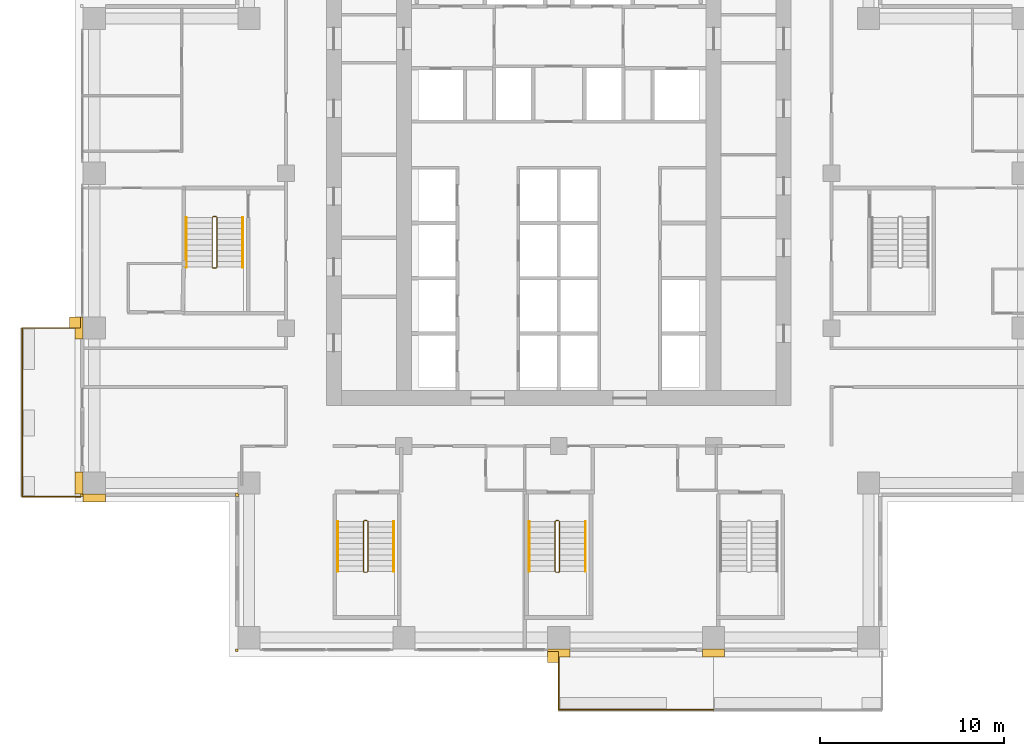
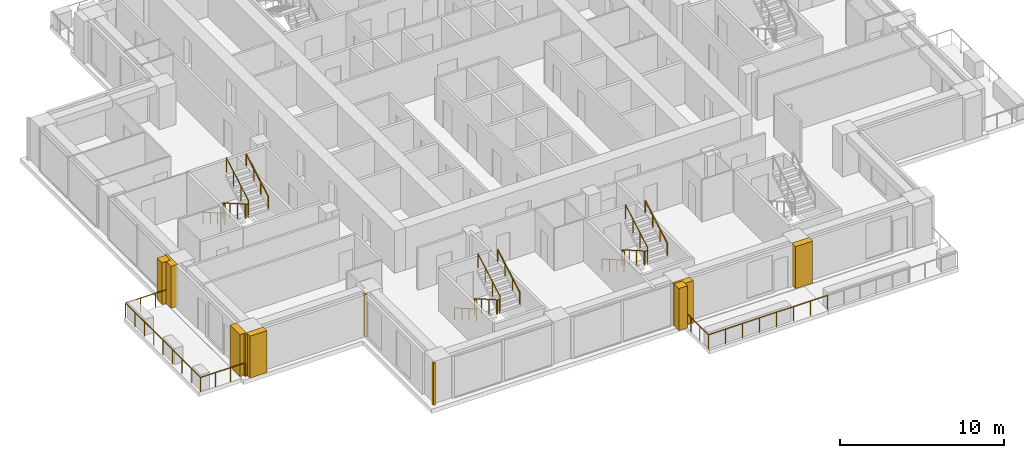
# One storey, part 15 of 18: 11 railings, 10 coverings.
"""IFC4 building model written with IfcOpenShell, lengths in metres."""

from ifc_helpers import new_model, si_unit, direction, frame, origin, origin_2d, place, context, subcontext, project, spatial, polyline, rectangle, outline, extrude, material, type_object, element, save


model = new_model("IFC4")

# Units and contexts
model_context = context("Model", 3, precision=1e-05, world=origin(), true_north=direction((0.0, 1.0)))
body_context = subcontext(model_context, "Body", "Model", "MODEL_VIEW")
ifc_project = project(units=[si_unit("LENGTHUNIT", "METRE"), si_unit("AREAUNIT", "SQUARE_METRE"), si_unit("VOLUMEUNIT", "CUBIC_METRE"), si_unit("PLANEANGLEUNIT", "RADIAN"), si_unit("MASSUNIT", "GRAM", prefix="KILO")], contexts=[model_context])

# Site, building, storey
site_placement = place(None, origin())
site = spatial("IfcSite", under=ifc_project, at=site_placement, CompositionType="ELEMENT")
building_placement = place(site_placement, origin())
building = spatial("IfcBuilding", under=site, at=building_placement, Name="Vermilion Ogive Tower", CompositionType="ELEMENT")
storey_placement = place(building_placement, frame((0.0, 0.0, 94.199951171875)))
storey = spatial("IfcBuildingStorey", under=building, at=storey_placement, Name="L23", CompositionType="ELEMENT", Elevation=94.199951171875)

# Railings
ifc_material_1 = material(Name="Stainless steel and glass", Category="steel")
railing_type_1 = type_object("IfcRailingType", Name="Balcony guard", PredefinedType="GUARDRAIL", material=ifc_material_1)
railing_1_placement = place(storey_placement, frame((0.0, -21.75, -0.0400390625)))
element("IfcRailing", 1, at=railing_1_placement, inside=storey, type_object=railing_type_1, Name="Guard S03", PredefinedType="GUARDRAIL", context=body_context, shape_type="SweptSolid", body=[
    extrude(rectangle(XDim=0.048095703125, YDim=0.048095703125, at=origin_2d()), frame((0.0, 0.0, 1.076171875), z_axis=(0.0, -1.0, 0.0), x_axis=(1.0, 0.0, 0.0)), (0.0, 0.0, 1.0), 3.159912109375),
    extrude(rectangle(XDim=0.048095703125, YDim=0.048095703125, at=origin_2d()), frame((0.0, -3.159912109375, 1.076171875), z_axis=(1.0, 0.0, 0.0), x_axis=(0.0, 1.0, 0.0)), (0.0, 0.0, 1.0), 8.39990234375),
    extrude(rectangle(XDim=0.0419921875, YDim=0.0419921875, at=origin_2d()), origin(), (0.0, 0.0, 1.0), 1.052001953125),
    extrude(rectangle(XDim=0.0419921875, YDim=0.0419921875, at=origin_2d()), frame((0.0, -1.05322265625, 0.0)), (0.0, 0.0, 1.0), 1.052001953125),
    extrude(rectangle(XDim=0.0419921875, YDim=0.0419921875, at=origin_2d()), frame((0.0, -2.106689453125, 0.0)), (0.0, 0.0, 1.0), 1.052001953125),
    extrude(rectangle(XDim=0.0419921875, YDim=0.0419921875, at=origin_2d()), frame((0.0, -3.159912109375, 0.0)), (0.0, 0.0, 1.0), 1.052001953125),
    extrude(rectangle(XDim=0.0419921875, YDim=0.0419921875, at=origin_2d()), frame((1.199951171875, -3.159912109375, 0.0)), (0.0, 0.0, 1.0), 1.052001953125),
    extrude(rectangle(XDim=0.0419921875, YDim=0.0419921875, at=origin_2d()), frame((2.39990234375, -3.159912109375, 0.0)), (0.0, 0.0, 1.0), 1.052001953125),
    extrude(rectangle(XDim=0.0419921875, YDim=0.0419921875, at=origin_2d()), frame((3.599853515625, -3.159912109375, 0.0)), (0.0, 0.0, 1.0), 1.052001953125),
    extrude(rectangle(XDim=0.0419921875, YDim=0.0419921875, at=origin_2d()), frame((4.800048828125, -3.159912109375, 0.0)), (0.0, 0.0, 1.0), 1.052001953125),
    extrude(rectangle(XDim=0.0419921875, YDim=0.0419921875, at=origin_2d()), frame((6.0, -3.159912109375, 0.0)), (0.0, 0.0, 1.0), 1.052001953125),
    extrude(rectangle(XDim=0.0419921875, YDim=0.0419921875, at=origin_2d()), frame((7.199951171875, -3.159912109375, 0.0)), (0.0, 0.0, 1.0), 1.052001953125),
    extrude(rectangle(XDim=0.0419921875, YDim=0.0419921875, at=origin_2d()), frame((8.39990234375, -3.159912109375, 0.0)), (0.0, 0.0, 1.0), 1.052001953125),
])
railing_2_placement = place(storey_placement, frame((-25.949951171875, -4.199951171875, -0.0400390625)))
element("IfcRailing", 2, at=railing_2_placement, inside=storey, type_object=railing_type_1, Name="Guard W03", PredefinedType="GUARDRAIL", context=body_context, shape_type="SweptSolid", body=[
    extrude(rectangle(XDim=0.048095703125, YDim=0.048095703125, at=origin_2d()), frame((0.0, 0.0, 1.076171875), z_axis=(-1.0, 0.0, 0.0), x_axis=(0.0, -1.0, 0.0)), (0.0, 0.0, 1.0), 3.16015625),
    extrude(rectangle(XDim=0.048095703125, YDim=0.048095703125, at=origin_2d()), frame((-3.16015625, 0.0, 1.076171875), z_axis=(0.0, -1.0, 0.0), x_axis=(1.0, 0.0, 0.0)), (0.0, 0.0, 1.0), 9.150146484375),
    extrude(rectangle(XDim=0.048095703125, YDim=0.048095703125, at=origin_2d()), frame((-3.16015625, -9.150146484375, 1.076171875), z_axis=(1.0, 0.0, 0.0), x_axis=(0.0, 1.0, 0.0)), (0.0, 0.0, 1.0), 3.16015625),
    extrude(rectangle(XDim=0.0419921875, YDim=0.0419921875, at=origin_2d()), origin(), (0.0, 0.0, 1.0), 1.052001953125),
    extrude(rectangle(XDim=0.0419921875, YDim=0.0419921875, at=origin_2d()), frame((-1.053466796875, 0.0, 0.0)), (0.0, 0.0, 1.0), 1.052001953125),
    extrude(rectangle(XDim=0.0419921875, YDim=0.0419921875, at=origin_2d()), frame((-2.106689453125, 0.0, 0.0)), (0.0, 0.0, 1.0), 1.052001953125),
    extrude(rectangle(XDim=0.0419921875, YDim=0.0419921875, at=origin_2d()), frame((-3.16015625, 0.0, 0.0)), (0.0, 0.0, 1.0), 1.052001953125),
    extrude(rectangle(XDim=0.0419921875, YDim=0.0419921875, at=origin_2d()), frame((-3.16015625, -1.143798828125, 0.0)), (0.0, 0.0, 1.0), 1.052001953125),
    extrude(rectangle(XDim=0.0419921875, YDim=0.0419921875, at=origin_2d()), frame((-3.16015625, -2.28759765625, 0.0)), (0.0, 0.0, 1.0), 1.052001953125),
    extrude(rectangle(XDim=0.0419921875, YDim=0.0419921875, at=origin_2d()), frame((-3.16015625, -3.431396484375, 0.0)), (0.0, 0.0, 1.0), 1.052001953125),
    extrude(rectangle(XDim=0.0419921875, YDim=0.0419921875, at=origin_2d()), frame((-3.16015625, -4.5751953125, 0.0)), (0.0, 0.0, 1.0), 1.052001953125),
    extrude(rectangle(XDim=0.0419921875, YDim=0.0419921875, at=origin_2d()), frame((-3.16015625, -5.71875, 0.0)), (0.0, 0.0, 1.0), 1.052001953125),
    extrude(rectangle(XDim=0.0419921875, YDim=0.0419921875, at=origin_2d()), frame((-3.16015625, -6.862548828125, 0.0)), (0.0, 0.0, 1.0), 1.052001953125),
    extrude(rectangle(XDim=0.0419921875, YDim=0.0419921875, at=origin_2d()), frame((-3.16015625, -8.00634765625, 0.0)), (0.0, 0.0, 1.0), 1.052001953125),
    extrude(rectangle(XDim=0.0419921875, YDim=0.0419921875, at=origin_2d()), frame((-3.16015625, -9.150146484375, 0.0)), (0.0, 0.0, 1.0), 1.052001953125),
    extrude(rectangle(XDim=0.0419921875, YDim=0.0419921875, at=origin_2d()), frame((-2.106689453125, -9.150146484375, 0.0)), (0.0, 0.0, 1.0), 1.052001953125),
    extrude(rectangle(XDim=0.0419921875, YDim=0.0419921875, at=origin_2d()), frame((-1.053466796875, -9.150146484375, 0.0)), (0.0, 0.0, 1.0), 1.052001953125),
    extrude(rectangle(XDim=0.0419921875, YDim=0.0419921875, at=origin_2d()), frame((0.0, -9.150146484375, 0.0)), (0.0, 0.0, 1.0), 1.052001953125),
])
ifc_material_2 = material(Name="Steel S355 painted", Category="steel")
railing_type_2 = type_object("IfcRailingType", Name="Stair guard 1100", PredefinedType="GUARDRAIL", material=ifc_material_2)
railing_3_placement = place(storey_placement, frame((-10.39990234375, -14.64990234375, 0.0)))
element("IfcRailing", 3, at=railing_3_placement, inside=storey, type_object=railing_type_2, Name="L23 ST3 stair guard 4", PredefinedType="GUARDRAIL", context=body_context, shape_type="SweptSolid", body=[
    extrude(rectangle(XDim=0.048095703125, YDim=0.048095703125, at=origin_2d()), frame((0.0, 0.0, 1.076171875), z_axis=(-1.0, 0.0, 0.0), x_axis=(0.0, -1.0, 0.0)), (0.0, 0.0, 1.0), 0.150146484375),
    extrude(rectangle(XDim=0.048095703125, YDim=0.048095703125, at=origin_2d()), frame((-0.150146484375, 0.0, 1.076171875), z_axis=(-0.268277960024, -0.268277960024, 0.925231793839), x_axis=(0.707106781187, -0.707106781187, 0.0)), (0.0, 0.0, 1.0), 0.1865234375),
    extrude(rectangle(XDim=0.048095703125, YDim=0.048095703125, at=origin_2d()), frame((-0.2001953125, -0.050048828125, 1.24853515625), z_axis=(0.0, -0.866903762492, 0.498475542607), x_axis=(1.0, 0.0, 0.0)), (0.0, 0.0, 1.0), 3.114501953125),
    extrude(rectangle(XDim=0.048095703125, YDim=0.048095703125, at=origin_2d()), frame((-0.2001953125, -2.75, 2.80126953125), z_axis=(0.707106781187, -0.707106781187, 0.0), x_axis=(0.707106781187, 0.707106781187, 0.0)), (0.0, 0.0, 1.0), 0.07080078125),
    extrude(rectangle(XDim=0.048095703125, YDim=0.048095703125, at=origin_2d()), frame((-0.150146484375, -2.800048828125, 2.80126953125), z_axis=(1.0, 0.0, 0.0), x_axis=(0.0, 1.0, 0.0)), (0.0, 0.0, 1.0), 0.150146484375),
    extrude(rectangle(XDim=0.048095703125, YDim=0.048095703125, at=origin_2d()), frame((0.0, -2.800048828125, 2.80126953125), z_axis=(0.267386790225, 0.268697509785, 0.925368009307), x_axis=(-0.708833529934, 0.705375805398, 0.0)), (0.0, 0.0, 1.0), 0.186279296875),
    extrude(rectangle(XDim=0.048095703125, YDim=0.048095703125, at=origin_2d()), frame((0.0498046875, -2.75, 2.9736328125), z_axis=(0.0, 0.866903762492, 0.498475542607), x_axis=(-1.0, 0.0, 0.0)), (0.0, 0.0, 1.0), 3.114501953125),
    extrude(rectangle(XDim=0.0419921875, YDim=0.0419921875, at=origin_2d()), origin(), (0.0, 0.0, 1.0), 1.052001953125),
    extrude(rectangle(XDim=0.0419921875, YDim=0.0419921875, at=origin_2d()), frame((-0.150146484375, 0.0, 0.0)), (0.0, 0.0, 1.0), 1.052001953125),
    extrude(rectangle(XDim=0.0419921875, YDim=0.0419921875, at=origin_2d()), frame((-0.2001953125, -0.050048828125, 0.172607421875)), (0.0, 0.0, 1.0), 1.052001953125),
    extrude(rectangle(XDim=0.0419921875, YDim=0.0419921875, at=origin_2d()), frame((-0.2001953125, -0.949951171875, 0.690185546875)), (0.0, 0.0, 1.0), 1.052001953125),
    extrude(rectangle(XDim=0.0419921875, YDim=0.0419921875, at=origin_2d()), frame((-0.2001953125, -1.85009765625, 1.20751953125)), (0.0, 0.0, 1.0), 1.052001953125),
    extrude(rectangle(XDim=0.0419921875, YDim=0.0419921875, at=origin_2d()), frame((-0.2001953125, -2.75, 1.72509765625)), (0.0, 0.0, 1.0), 1.052001953125),
    extrude(rectangle(XDim=0.0419921875, YDim=0.0419921875, at=origin_2d()), frame((-0.150146484375, -2.800048828125, 1.72509765625)), (0.0, 0.0, 1.0), 1.052001953125),
    extrude(rectangle(XDim=0.0419921875, YDim=0.0419921875, at=origin_2d()), frame((0.0, -2.800048828125, 1.72509765625)), (0.0, 0.0, 1.0), 1.052001953125),
    extrude(rectangle(XDim=0.0419921875, YDim=0.0419921875, at=origin_2d()), frame((0.0498046875, -2.75, 1.8974609375)), (0.0, 0.0, 1.0), 1.052001953125),
    extrude(rectangle(XDim=0.0419921875, YDim=0.0419921875, at=origin_2d()), frame((0.0498046875, -1.85009765625, 2.4150390625)), (0.0, 0.0, 1.0), 1.052001953125),
    extrude(rectangle(XDim=0.0419921875, YDim=0.0419921875, at=origin_2d()), frame((0.0498046875, -0.949951171875, 2.932373046875)), (0.0, 0.0, 1.0), 1.052001953125),
    extrude(rectangle(XDim=0.0419921875, YDim=0.0419921875, at=origin_2d()), frame((0.0498046875, -0.050048828125, 3.449951171875)), (0.0, 0.0, 1.0), 1.052001953125),
])
railing_4_placement = place(storey_placement, frame((0.0, -14.64990234375, 0.0)))
element("IfcRailing", 4, at=railing_4_placement, inside=storey, type_object=railing_type_2, Name="L23 ST4 stair guard 4", PredefinedType="GUARDRAIL", context=body_context, shape_type="SweptSolid", body=[
    extrude(rectangle(XDim=0.048095703125, YDim=0.048095703125, at=origin_2d()), frame((0.0, 0.0, 1.076171875), z_axis=(-1.0, 0.0, 0.0), x_axis=(0.0, -1.0, 0.0)), (0.0, 0.0, 1.0), 0.14990234375),
    extrude(rectangle(XDim=0.048095703125, YDim=0.048095703125, at=origin_2d()), frame((-0.14990234375, 0.0, 1.076171875), z_axis=(-0.268277960024, -0.268277960024, 0.925231793839), x_axis=(0.707106781187, -0.707106781187, 0.0)), (0.0, 0.0, 1.0), 0.1865234375),
    extrude(rectangle(XDim=0.048095703125, YDim=0.048095703125, at=origin_2d()), frame((-0.199951171875, -0.050048828125, 1.24853515625), z_axis=(0.0, -0.866903762492, 0.498475542607), x_axis=(1.0, 0.0, 0.0)), (0.0, 0.0, 1.0), 3.114501953125),
    extrude(rectangle(XDim=0.048095703125, YDim=0.048095703125, at=origin_2d()), frame((-0.199951171875, -2.75, 2.80126953125), z_axis=(0.707106781187, -0.707106781187, 0.0), x_axis=(0.707106781187, 0.707106781187, 0.0)), (0.0, 0.0, 1.0), 0.07080078125),
    extrude(rectangle(XDim=0.048095703125, YDim=0.048095703125, at=origin_2d()), frame((-0.14990234375, -2.800048828125, 2.80126953125), z_axis=(1.0, 0.0, 0.0), x_axis=(0.0, 1.0, 0.0)), (0.0, 0.0, 1.0), 0.14990234375),
    extrude(rectangle(XDim=0.048095703125, YDim=0.048095703125, at=origin_2d()), frame((0.0, -2.800048828125, 2.80126953125), z_axis=(0.268603158521, 0.268603158521, 0.925043072762), x_axis=(-0.707106781187, 0.707106781187, 0.0)), (0.0, 0.0, 1.0), 0.186279296875),
    extrude(rectangle(XDim=0.048095703125, YDim=0.048095703125, at=origin_2d()), frame((0.050048828125, -2.75, 2.9736328125), z_axis=(0.0, 0.866903762492, 0.498475542607), x_axis=(-1.0, 0.0, 0.0)), (0.0, 0.0, 1.0), 3.114501953125),
    extrude(rectangle(XDim=0.0419921875, YDim=0.0419921875, at=origin_2d()), origin(), (0.0, 0.0, 1.0), 1.052001953125),
    extrude(rectangle(XDim=0.0419921875, YDim=0.0419921875, at=origin_2d()), frame((-0.14990234375, 0.0, 0.0)), (0.0, 0.0, 1.0), 1.052001953125),
    extrude(rectangle(XDim=0.0419921875, YDim=0.0419921875, at=origin_2d()), frame((-0.199951171875, -0.050048828125, 0.172607421875)), (0.0, 0.0, 1.0), 1.052001953125),
    extrude(rectangle(XDim=0.0419921875, YDim=0.0419921875, at=origin_2d()), frame((-0.199951171875, -0.949951171875, 0.690185546875)), (0.0, 0.0, 1.0), 1.052001953125),
    extrude(rectangle(XDim=0.0419921875, YDim=0.0419921875, at=origin_2d()), frame((-0.199951171875, -1.85009765625, 1.20751953125)), (0.0, 0.0, 1.0), 1.052001953125),
    extrude(rectangle(XDim=0.0419921875, YDim=0.0419921875, at=origin_2d()), frame((-0.199951171875, -2.75, 1.72509765625)), (0.0, 0.0, 1.0), 1.052001953125),
    extrude(rectangle(XDim=0.0419921875, YDim=0.0419921875, at=origin_2d()), frame((-0.14990234375, -2.800048828125, 1.72509765625)), (0.0, 0.0, 1.0), 1.052001953125),
    extrude(rectangle(XDim=0.0419921875, YDim=0.0419921875, at=origin_2d()), frame((0.0, -2.800048828125, 1.72509765625)), (0.0, 0.0, 1.0), 1.052001953125),
    extrude(rectangle(XDim=0.0419921875, YDim=0.0419921875, at=origin_2d()), frame((0.050048828125, -2.75, 1.8974609375)), (0.0, 0.0, 1.0), 1.052001953125),
    extrude(rectangle(XDim=0.0419921875, YDim=0.0419921875, at=origin_2d()), frame((0.050048828125, -1.85009765625, 2.4150390625)), (0.0, 0.0, 1.0), 1.052001953125),
    extrude(rectangle(XDim=0.0419921875, YDim=0.0419921875, at=origin_2d()), frame((0.050048828125, -0.949951171875, 2.932373046875)), (0.0, 0.0, 1.0), 1.052001953125),
    extrude(rectangle(XDim=0.0419921875, YDim=0.0419921875, at=origin_2d()), frame((0.050048828125, -0.050048828125, 3.449951171875)), (0.0, 0.0, 1.0), 1.052001953125),
])
railing_5_placement = place(storey_placement, frame((-18.60009765625, 1.85009765625, 0.0)))
element("IfcRailing", 5, at=railing_5_placement, inside=storey, type_object=railing_type_2, Name="L23 ST9 stair guard 4", PredefinedType="GUARDRAIL", context=body_context, shape_type="SweptSolid", body=[
    extrude(rectangle(XDim=0.048095703125, YDim=0.048095703125, at=origin_2d()), frame((0.0, 0.0, 1.076171875), z_axis=(-1.0, 0.0, 0.0), x_axis=(0.0, -1.0, 0.0)), (0.0, 0.0, 1.0), 0.14990234375),
    extrude(rectangle(XDim=0.048095703125, YDim=0.048095703125, at=origin_2d()), frame((-0.14990234375, 0.0, 1.076171875), z_axis=(-0.268277960024, -0.268277960024, 0.925231793839), x_axis=(0.707106781187, -0.707106781187, 0.0)), (0.0, 0.0, 1.0), 0.1865234375),
    extrude(rectangle(XDim=0.048095703125, YDim=0.048095703125, at=origin_2d()), frame((-0.199951171875, -0.050048828125, 1.24853515625), z_axis=(0.0, -0.866903762492, 0.498475542607), x_axis=(1.0, 0.0, 0.0)), (0.0, 0.0, 1.0), 3.114501953125),
    extrude(rectangle(XDim=0.048095703125, YDim=0.048095703125, at=origin_2d()), frame((-0.199951171875, -2.75, 2.80126953125), z_axis=(0.707106781187, -0.707106781187, 0.0), x_axis=(0.707106781187, 0.707106781187, 0.0)), (0.0, 0.0, 1.0), 0.07080078125),
    extrude(rectangle(XDim=0.048095703125, YDim=0.048095703125, at=origin_2d()), frame((-0.14990234375, -2.800048828125, 2.80126953125), z_axis=(1.0, 0.0, 0.0), x_axis=(0.0, 1.0, 0.0)), (0.0, 0.0, 1.0), 0.14990234375),
    extrude(rectangle(XDim=0.048095703125, YDim=0.048095703125, at=origin_2d()), frame((0.0, -2.800048828125, 2.80126953125), z_axis=(0.268603158521, 0.268603158521, 0.925043072762), x_axis=(-0.707106781187, 0.707106781187, 0.0)), (0.0, 0.0, 1.0), 0.186279296875),
    extrude(rectangle(XDim=0.048095703125, YDim=0.048095703125, at=origin_2d()), frame((0.050048828125, -2.75, 2.9736328125), z_axis=(0.0, 0.866903762492, 0.498475542607), x_axis=(-1.0, 0.0, 0.0)), (0.0, 0.0, 1.0), 3.114501953125),
    extrude(rectangle(XDim=0.0419921875, YDim=0.0419921875, at=origin_2d()), origin(), (0.0, 0.0, 1.0), 1.052001953125),
    extrude(rectangle(XDim=0.0419921875, YDim=0.0419921875, at=origin_2d()), frame((-0.14990234375, 0.0, 0.0)), (0.0, 0.0, 1.0), 1.052001953125),
    extrude(rectangle(XDim=0.0419921875, YDim=0.0419921875, at=origin_2d()), frame((-0.199951171875, -0.050048828125, 0.172607421875)), (0.0, 0.0, 1.0), 1.052001953125),
    extrude(rectangle(XDim=0.0419921875, YDim=0.0419921875, at=origin_2d()), frame((-0.199951171875, -0.949951171875, 0.690185546875)), (0.0, 0.0, 1.0), 1.052001953125),
    extrude(rectangle(XDim=0.0419921875, YDim=0.0419921875, at=origin_2d()), frame((-0.199951171875, -1.85009765625, 1.20751953125)), (0.0, 0.0, 1.0), 1.052001953125),
    extrude(rectangle(XDim=0.0419921875, YDim=0.0419921875, at=origin_2d()), frame((-0.199951171875, -2.75, 1.72509765625)), (0.0, 0.0, 1.0), 1.052001953125),
    extrude(rectangle(XDim=0.0419921875, YDim=0.0419921875, at=origin_2d()), frame((-0.14990234375, -2.800048828125, 1.72509765625)), (0.0, 0.0, 1.0), 1.052001953125),
    extrude(rectangle(XDim=0.0419921875, YDim=0.0419921875, at=origin_2d()), frame((0.0, -2.800048828125, 1.72509765625)), (0.0, 0.0, 1.0), 1.052001953125),
    extrude(rectangle(XDim=0.0419921875, YDim=0.0419921875, at=origin_2d()), frame((0.050048828125, -2.75, 1.8974609375)), (0.0, 0.0, 1.0), 1.052001953125),
    extrude(rectangle(XDim=0.0419921875, YDim=0.0419921875, at=origin_2d()), frame((0.050048828125, -1.85009765625, 2.4150390625)), (0.0, 0.0, 1.0), 1.052001953125),
    extrude(rectangle(XDim=0.0419921875, YDim=0.0419921875, at=origin_2d()), frame((0.050048828125, -0.949951171875, 2.932373046875)), (0.0, 0.0, 1.0), 1.052001953125),
    extrude(rectangle(XDim=0.0419921875, YDim=0.0419921875, at=origin_2d()), frame((0.050048828125, -0.050048828125, 3.449951171875)), (0.0, 0.0, 1.0), 1.052001953125),
])
ifc_material_3 = material(Name="Stainless steel", Category="steel")
railing_type_3 = type_object("IfcRailingType", Name="Stair handrail 900", PredefinedType="HANDRAIL", material=ifc_material_3)
railing_6_placement = place(storey_placement, frame((-12.0, -14.699951171875, 0.172607421875)))
element("IfcRailing", 6, at=railing_6_placement, inside=storey, type_object=railing_type_3, Name="L23 ST3 stair handrail 1", PredefinedType="HANDRAIL", context=body_context, shape_type="SweptSolid", body=[
    extrude(rectangle(XDim=0.048095703125, YDim=0.048095703125, at=origin_2d()), frame((0.0, 0.0, 0.8759765625), z_axis=(0.0, -0.866903762492, 0.498475542607), x_axis=(1.0, 0.0, 0.0)), (0.0, 0.0, 1.0), 3.114501953125),
    extrude(rectangle(XDim=0.0419921875, YDim=0.0419921875, at=origin_2d()), origin(), (0.0, 0.0, 1.0), 0.851806640625),
    extrude(rectangle(XDim=0.0419921875, YDim=0.0419921875, at=origin_2d()), frame((0.0, -0.89990234375, 0.517578125)), (0.0, 0.0, 1.0), 0.851806640625),
    extrude(rectangle(XDim=0.0419921875, YDim=0.0419921875, at=origin_2d()), frame((0.0, -1.800048828125, 1.034912109375)), (0.0, 0.0, 1.0), 0.851806640625),
    extrude(rectangle(XDim=0.0419921875, YDim=0.0419921875, at=origin_2d()), frame((0.0, -2.699951171875, 1.552490234375)), (0.0, 0.0, 1.0), 0.851806640625),
])
railing_7_placement = place(storey_placement, frame((-8.949951171875, -17.39990234375, 1.8974609375)))
element("IfcRailing", 7, at=railing_7_placement, inside=storey, type_object=railing_type_3, Name="L23 ST3 stair handrail 2", PredefinedType="HANDRAIL", context=body_context, shape_type="SweptSolid", body=[
    extrude(rectangle(XDim=0.048095703125, YDim=0.048095703125, at=origin_2d()), frame((0.0, 0.0, 0.8759765625), z_axis=(0.0, 0.866903762492, 0.498475542607), x_axis=(-1.0, 0.0, 0.0)), (0.0, 0.0, 1.0), 3.114501953125),
    extrude(rectangle(XDim=0.0419921875, YDim=0.0419921875, at=origin_2d()), origin(), (0.0, 0.0, 1.0), 0.851806640625),
    extrude(rectangle(XDim=0.0419921875, YDim=0.0419921875, at=origin_2d()), frame((0.0, 0.89990234375, 0.517578125)), (0.0, 0.0, 1.0), 0.851806640625),
    extrude(rectangle(XDim=0.0419921875, YDim=0.0419921875, at=origin_2d()), frame((0.0, 1.800048828125, 1.034912109375)), (0.0, 0.0, 1.0), 0.851806640625),
    extrude(rectangle(XDim=0.0419921875, YDim=0.0419921875, at=origin_2d()), frame((0.0, 2.699951171875, 1.552490234375)), (0.0, 0.0, 1.0), 0.851806640625),
])
railing_8_placement = place(storey_placement, frame((-1.60009765625, -14.699951171875, 0.172607421875)))
element("IfcRailing", 8, at=railing_8_placement, inside=storey, type_object=railing_type_3, Name="L23 ST4 stair handrail 1", PredefinedType="HANDRAIL", context=body_context, shape_type="SweptSolid", body=[
    extrude(rectangle(XDim=0.048095703125, YDim=0.048095703125, at=origin_2d()), frame((0.0, 0.0, 0.8759765625), z_axis=(0.0, -0.866903762492, 0.498475542607), x_axis=(1.0, 0.0, 0.0)), (0.0, 0.0, 1.0), 3.114501953125),
    extrude(rectangle(XDim=0.0419921875, YDim=0.0419921875, at=origin_2d()), origin(), (0.0, 0.0, 1.0), 0.851806640625),
    extrude(rectangle(XDim=0.0419921875, YDim=0.0419921875, at=origin_2d()), frame((0.0, -0.89990234375, 0.517578125)), (0.0, 0.0, 1.0), 0.851806640625),
    extrude(rectangle(XDim=0.0419921875, YDim=0.0419921875, at=origin_2d()), frame((0.0, -1.800048828125, 1.034912109375)), (0.0, 0.0, 1.0), 0.851806640625),
    extrude(rectangle(XDim=0.0419921875, YDim=0.0419921875, at=origin_2d()), frame((0.0, -2.699951171875, 1.552490234375)), (0.0, 0.0, 1.0), 0.851806640625),
])
railing_9_placement = place(storey_placement, frame((1.449951171875, -17.39990234375, 1.8974609375)))
element("IfcRailing", 9, at=railing_9_placement, inside=storey, type_object=railing_type_3, Name="L23 ST4 stair handrail 2", PredefinedType="HANDRAIL", context=body_context, shape_type="SweptSolid", body=[
    extrude(rectangle(XDim=0.048095703125, YDim=0.048095703125, at=origin_2d()), frame((0.0, 0.0, 0.8759765625), z_axis=(0.0, 0.866903762492, 0.498475542607), x_axis=(-1.0, 0.0, 0.0)), (0.0, 0.0, 1.0), 3.114501953125),
    extrude(rectangle(XDim=0.0419921875, YDim=0.0419921875, at=origin_2d()), origin(), (0.0, 0.0, 1.0), 0.851806640625),
    extrude(rectangle(XDim=0.0419921875, YDim=0.0419921875, at=origin_2d()), frame((0.0, 0.89990234375, 0.517578125)), (0.0, 0.0, 1.0), 0.851806640625),
    extrude(rectangle(XDim=0.0419921875, YDim=0.0419921875, at=origin_2d()), frame((0.0, 1.800048828125, 1.034912109375)), (0.0, 0.0, 1.0), 0.851806640625),
    extrude(rectangle(XDim=0.0419921875, YDim=0.0419921875, at=origin_2d()), frame((0.0, 2.699951171875, 1.552490234375)), (0.0, 0.0, 1.0), 0.851806640625),
])
railing_10_placement = place(storey_placement, frame((-20.199951171875, 1.800048828125, 0.172607421875)))
element("IfcRailing", 10, at=railing_10_placement, inside=storey, type_object=railing_type_3, Name="L23 ST9 stair handrail 1", PredefinedType="HANDRAIL", context=body_context, shape_type="SweptSolid", body=[
    extrude(rectangle(XDim=0.048095703125, YDim=0.048095703125, at=origin_2d()), frame((0.0, 0.0, 0.8759765625), z_axis=(0.0, -0.866903762492, 0.498475542607), x_axis=(1.0, 0.0, 0.0)), (0.0, 0.0, 1.0), 3.114501953125),
    extrude(rectangle(XDim=0.0419921875, YDim=0.0419921875, at=origin_2d()), origin(), (0.0, 0.0, 1.0), 0.851806640625),
    extrude(rectangle(XDim=0.0419921875, YDim=0.0419921875, at=origin_2d()), frame((0.0, -0.89990234375, 0.517578125)), (0.0, 0.0, 1.0), 0.851806640625),
    extrude(rectangle(XDim=0.0419921875, YDim=0.0419921875, at=origin_2d()), frame((0.0, -1.800048828125, 1.034912109375)), (0.0, 0.0, 1.0), 0.851806640625),
    extrude(rectangle(XDim=0.0419921875, YDim=0.0419921875, at=origin_2d()), frame((0.0, -2.699951171875, 1.552490234375)), (0.0, 0.0, 1.0), 0.851806640625),
])
railing_11_placement = place(storey_placement, frame((-17.14990234375, -0.89990234375, 1.8974609375)))
element("IfcRailing", 11, at=railing_11_placement, inside=storey, type_object=railing_type_3, Name="L23 ST9 stair handrail 2", PredefinedType="HANDRAIL", context=body_context, shape_type="SweptSolid", body=[
    extrude(rectangle(XDim=0.048095703125, YDim=0.048095703125, at=origin_2d()), frame((0.0, 0.0, 0.8759765625), z_axis=(0.0, 0.866903762492, 0.498475542607), x_axis=(-1.0, 0.0, 0.0)), (0.0, 0.0, 1.0), 3.114501953125),
    extrude(rectangle(XDim=0.0419921875, YDim=0.0419921875, at=origin_2d()), origin(), (0.0, 0.0, 1.0), 0.851806640625),
    extrude(rectangle(XDim=0.0419921875, YDim=0.0419921875, at=origin_2d()), frame((0.0, 0.89990234375, 0.517578125)), (0.0, 0.0, 1.0), 0.851806640625),
    extrude(rectangle(XDim=0.0419921875, YDim=0.0419921875, at=origin_2d()), frame((0.0, 1.800048828125, 1.034912109375)), (0.0, 0.0, 1.0), 0.851806640625),
    extrude(rectangle(XDim=0.0419921875, YDim=0.0419921875, at=origin_2d()), frame((0.0, 2.699951171875, 1.552490234375)), (0.0, 0.0, 1.0), 0.851806640625),
])

# Coverings
ifc_material_4 = material(Name="Stone cladding", Category="masonry")
covering_type_1 = type_object("IfcCoveringType", Name="Stone corner buttress", PredefinedType="CLADDING", material=ifc_material_4)
covering_1_placement = place(storey_placement, origin())
element("IfcCovering", 12, at=covering_1_placement, inside=storey, type_object=covering_type_1, Name="Stone crease pier SK", PredefinedType="CLADDING", context=body_context, shape_type="SweptSolid", body=[
    extrude(outline(polyline([(-0.60009765625, -22.35009765625), (0.0, -22.35009765625), (0.0, -21.75), (-0.60009765625, -21.75), (-0.60009765625, -22.35009765625)])), origin(), (0.0, 0.0, 1.0), 3.130126953125),
])
covering_2_placement = place(storey_placement, origin())
element("IfcCovering", 13, at=covering_2_placement, inside=storey, type_object=covering_type_1, Name="Stone crease pier WK", PredefinedType="CLADDING", context=body_context, shape_type="SweptSolid", body=[
    extrude(outline(polyline([(-26.550048828125, -3.60009765625), (-26.550048828125, -4.199951171875), (-25.949951171875, -4.199951171875), (-25.949951171875, -3.60009765625), (-26.550048828125, -3.60009765625)])), origin(), (0.0, 0.0, 1.0), 3.130126953125),
])
ifc_material_5 = material(Name="Stone cladding", Category="masonry")
covering_type_2 = type_object("IfcCoveringType", Name="Stone pier", PredefinedType="CLADDING", material=ifc_material_5)
covering_3_placement = place(storey_placement, origin())
element("IfcCovering", 14, at=covering_3_placement, inside=storey, type_object=covering_type_2, Name="Stone corner pier WE1", PredefinedType="CLADDING", context=body_context, shape_type="SweptSolid", body=[
    extrude(outline(polyline([(-25.949951171875, -13.199951171875), (-25.800048828125, -13.199951171875), (-25.800048828125, -13.35009765625), (-25.949951171875, -13.35009765625), (-25.949951171875, -13.199951171875)])), origin(), (0.0, 0.0, 1.0), 3.130126953125),
])
covering_4_placement = place(storey_placement, origin())
element("IfcCovering", 15, at=covering_4_placement, inside=storey, type_object=covering_type_2, Name="Stone corner pier X7E1", PredefinedType="CLADDING", context=body_context, shape_type="SweptSolid", body=[
    extrude(outline(polyline([(-17.39990234375, -13.14990234375), (-17.39990234375, -13.199951171875), (-17.35009765625, -13.199951171875), (-17.35009765625, -13.35009765625), (-17.550048828125, -13.35009765625), (-17.550048828125, -13.14990234375), (-17.39990234375, -13.14990234375)])), origin(), (0.0, 0.0, 1.0), 3.130126953125),
])
covering_5_placement = place(storey_placement, origin())
element("IfcCovering", 16, at=covering_5_placement, inside=storey, type_object=covering_type_2, Name="Stone corner pier X8E1", PredefinedType="CLADDING", context=body_context, shape_type="SweptSolid", body=[
    extrude(outline(polyline([(-17.550048828125, -21.60009765625), (-17.39990234375, -21.60009765625), (-17.39990234375, -21.60009765625), (-17.39990234375, -21.75), (-17.550048828125, -21.75), (-17.550048828125, -21.60009765625)])), origin(), (0.0, 0.0, 1.0), 3.130126953125),
])
covering_6_placement = place(storey_placement, origin())
element("IfcCovering", 17, at=covering_6_placement, inside=storey, type_object=covering_type_2, Name="Stone pier P+0000-210", PredefinedType="CLADDING", context=body_context, shape_type="SweptSolid", body=[
    extrude(outline(polyline([(0.60009765625, -21.60009765625), (0.60009765625, -21.60009765625), (0.60009765625, -22.050048828125), (0.0, -22.050048828125), (0.0, -21.75), (-0.60009765625, -21.75), (-0.60009765625, -22.050048828125), (-0.60009765625, -22.050048828125), (-0.60009765625, -21.60009765625), (-0.60009765625, -21.60009765625), (0.60009765625, -21.60009765625)])), origin(), (0.0, 0.0, 1.0), 3.130126953125),
])
covering_7_placement = place(storey_placement, origin())
element("IfcCovering", 18, at=covering_7_placement, inside=storey, type_object=covering_type_2, Name="Stone pier P+0084-210", PredefinedType="CLADDING", context=body_context, shape_type="SweptSolid", body=[
    extrude(outline(polyline([(9.0, -21.60009765625), (9.0, -22.050048828125), (7.800048828125, -22.050048828125), (7.800048828125, -21.60009765625), (9.0, -21.60009765625), (9.0, -21.60009765625)])), origin(), (0.0, 0.0, 1.0), 3.130126953125),
])
covering_8_placement = place(storey_placement, origin())
element("IfcCovering", 19, at=covering_8_placement, inside=storey, type_object=covering_type_2, Name="Stone pier P-0252-042", PredefinedType="CLADDING", context=body_context, shape_type="SweptSolid", body=[
    extrude(outline(polyline([(-25.800048828125, -4.800048828125), (-25.800048828125, -4.800048828125), (-26.25, -4.800048828125), (-26.25, -4.199951171875), (-25.949951171875, -4.199951171875), (-25.949951171875, -3.60009765625), (-26.25, -3.60009765625), (-26.25, -3.60009765625), (-25.800048828125, -3.60009765625), (-25.800048828125, -3.60009765625), (-25.800048828125, -4.800048828125)])), origin(), (0.0, 0.0, 1.0), 3.130126953125),
])
covering_9_placement = place(storey_placement, origin())
element("IfcCovering", 20, at=covering_9_placement, inside=storey, type_object=covering_type_2, Name="Stone pier P-0252-126W", PredefinedType="CLADDING", context=body_context, shape_type="SweptSolid", body=[
    extrude(outline(polyline([(-25.800048828125, -13.199951171875), (-25.800048828125, -13.199951171875), (-26.25, -13.199951171875), (-26.25, -12.0), (-25.800048828125, -12.0), (-25.800048828125, -12.0), (-25.800048828125, -13.199951171875)])), origin(), (0.0, 0.0, 1.0), 3.130126953125),
])
covering_10_placement = place(storey_placement, origin())
element("IfcCovering", 21, at=covering_10_placement, inside=storey, type_object=covering_type_2, Name="Stone pier P-0252-126X7", PredefinedType="CLADDING", context=body_context, shape_type="SweptSolid", body=[
    extrude(outline(polyline([(-25.800048828125, -13.64990234375), (-25.800048828125, -13.199951171875), (-25.800048828125, -13.199951171875), (-24.60009765625, -13.199951171875), (-24.60009765625, -13.64990234375), (-25.800048828125, -13.64990234375)])), origin(), (0.0, 0.0, 1.0), 3.130126953125),
])

save(model, "model.ifc")
